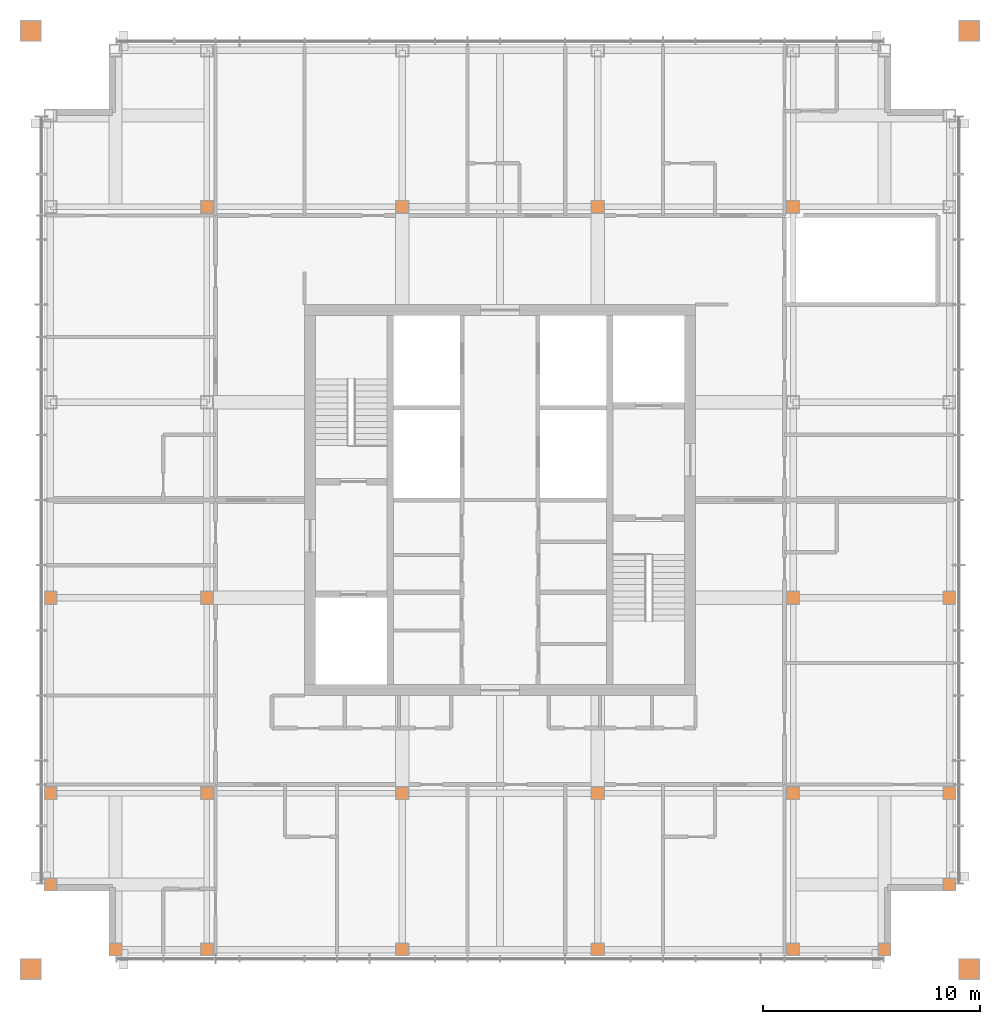
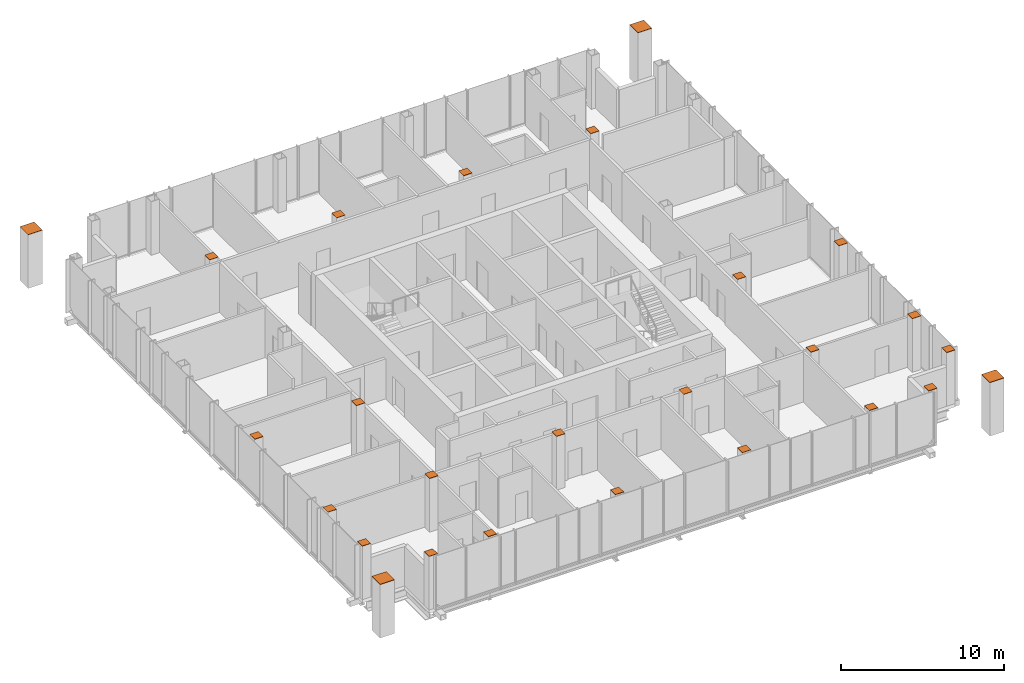
# One storey, part 12 of 12: 26 proxies.
"""IFC4 building model written with IfcOpenShell, lengths in metres."""

from ifc_helpers import new_model, si_unit, direction, frame, origin, origin_2d, place, context, subcontext, project, spatial, rectangle, extrude, material, layer, layer_set, type_object, element, save


model = new_model("IFC4")

# Units and contexts
model_context = context("Model", 3, precision=1e-05, world=origin(), true_north=direction((0.0, 1.0)))
body_context = subcontext(model_context, "Body", "Model", "MODEL_VIEW")
ifc_project = project(units=[si_unit("LENGTHUNIT", "METRE"), si_unit("AREAUNIT", "SQUARE_METRE"), si_unit("VOLUMEUNIT", "CUBIC_METRE"), si_unit("PLANEANGLEUNIT", "RADIAN"), si_unit("MASSUNIT", "GRAM", prefix="KILO")], contexts=[model_context])

# Site, building, storey
site_placement = place(None, origin())
site = spatial("IfcSite", under=ifc_project, at=site_placement, CompositionType="ELEMENT")
building_placement = place(site_placement, origin())
building = spatial("IfcBuilding", under=site, at=building_placement, Name="Malebo Sky Hospital", CompositionType="ELEMENT")
storey_placement = place(building_placement, frame((0.0, 0.0, 286.0)))
storey = spatial("IfcBuildingStorey", under=building, at=storey_placement, Name="L69", CompositionType="ELEMENT", Elevation=286.0)

# Proxies
ifc_material = material(Name="Steel S355", Category="steel")
ifc_layer_1 = layer(ifc_material, 0.030029296875)
ifc_layer_set_1 = layer_set([ifc_layer_1], Name="COLUMN CAP PLATE 1000x1000x30")
building_element_proxy_type_1 = type_object("IfcBuildingElementProxyType", Name="COLUMN CAP PLATE 1000x1000x30", PredefinedType="USERDEFINED", material=ifc_layer_set_1)
for number, where, name in (
    (1, (81.60009765625, 83.60009765625, -286.0), "Column cap plate MC1 L69"),
    (2, (38.39990234375, 83.60009765625, -286.0), "Column cap plate MC1 L69"),
    (3, (81.60009765625, 40.39990234375, -286.0), "Column cap plate MC1 L69"),
    (4, (38.39990234375, 40.39990234375, -286.0), "Column cap plate MC1 L69"),
):
    element("IfcBuildingElementProxy", number, at=place(storey_placement, frame(where)), inside=storey, type_object=building_element_proxy_type_1, Name=name, ObjectType="COLUMN CAP PLATE", PredefinedType="USERDEFINED", context=body_context, shape_type="SweptSolid", body=[
        extrude(rectangle(XDim=1.0, YDim=1.0, at=origin_2d()), frame((0.0, 0.0, 290.0)), (0.0, 0.0, 1.0), 0.030029296875),
    ])
ifc_layer_2 = layer(ifc_material, 0.030029296875)
ifc_layer_set_2 = layer_set([ifc_layer_2], Name="COLUMN CAP PLATE 600x600x30")
building_element_proxy_type_2 = type_object("IfcBuildingElementProxyType", Name="COLUMN CAP PLATE 600x600x30", PredefinedType="USERDEFINED", material=ifc_layer_set_2)
for number, where, name in (
    (5, (80.699951171875, 48.5, -286.0), "Column cap plate PC4 L69"),
    (6, (80.699951171875, 44.300048828125, -286.0), "Column cap plate PC4 L69"),
    (7, (80.699951171875, 57.5, -286.0), "Column cap plate PC4 L69"),
    (8, (73.5, 41.300048828125, -286.0), "Column cap plate PC4 L69"),
    (9, (77.699951171875, 41.300048828125, -286.0), "Column cap plate PC4 L69"),
    (10, (64.5, 41.300048828125, -286.0), "Column cap plate PC4 L69"),
    (11, (46.5, 41.300048828125, -286.0), "Column cap plate PC4 L69"),
    (12, (42.300048828125, 41.300048828125, -286.0), "Column cap plate PC4 L69"),
    (13, (55.5, 41.300048828125, -286.0), "Column cap plate PC4 L69"),
    (14, (39.300048828125, 48.5, -286.0), "Column cap plate PC4 L69"),
    (15, (39.300048828125, 44.300048828125, -286.0), "Column cap plate PC4 L69"),
    (16, (39.300048828125, 57.5, -286.0), "Column cap plate PC4 L69"),
    (17, (73.5, 75.5, -286.0), "Column cap plate IC4 L69"),
    (18, (73.5, 48.5, -286.0), "Column cap plate IC4 L69"),
    (19, (73.5, 57.5, -286.0), "Column cap plate IC4 L69"),
    (20, (64.5, 75.5, -286.0), "Column cap plate IC4 L69"),
    (21, (64.5, 48.5, -286.0), "Column cap plate IC4 L69"),
    (22, (46.5, 75.5, -286.0), "Column cap plate IC4 L69"),
    (23, (46.5, 48.5, -286.0), "Column cap plate IC4 L69"),
    (24, (46.5, 57.5, -286.0), "Column cap plate IC4 L69"),
    (25, (55.5, 75.5, -286.0), "Column cap plate IC4 L69"),
    (26, (55.5, 48.5, -286.0), "Column cap plate IC4 L69"),
):
    element("IfcBuildingElementProxy", number, at=place(storey_placement, frame(where)), inside=storey, type_object=building_element_proxy_type_2, Name=name, ObjectType="COLUMN CAP PLATE", PredefinedType="USERDEFINED", context=body_context, shape_type="SweptSolid", body=[
        extrude(rectangle(XDim=0.60009765625, YDim=0.60009765625, at=origin_2d()), frame((0.0, 0.0, 290.0)), (0.0, 0.0, 1.0), 0.030029296875),
    ])

save(model, "model.ifc")
